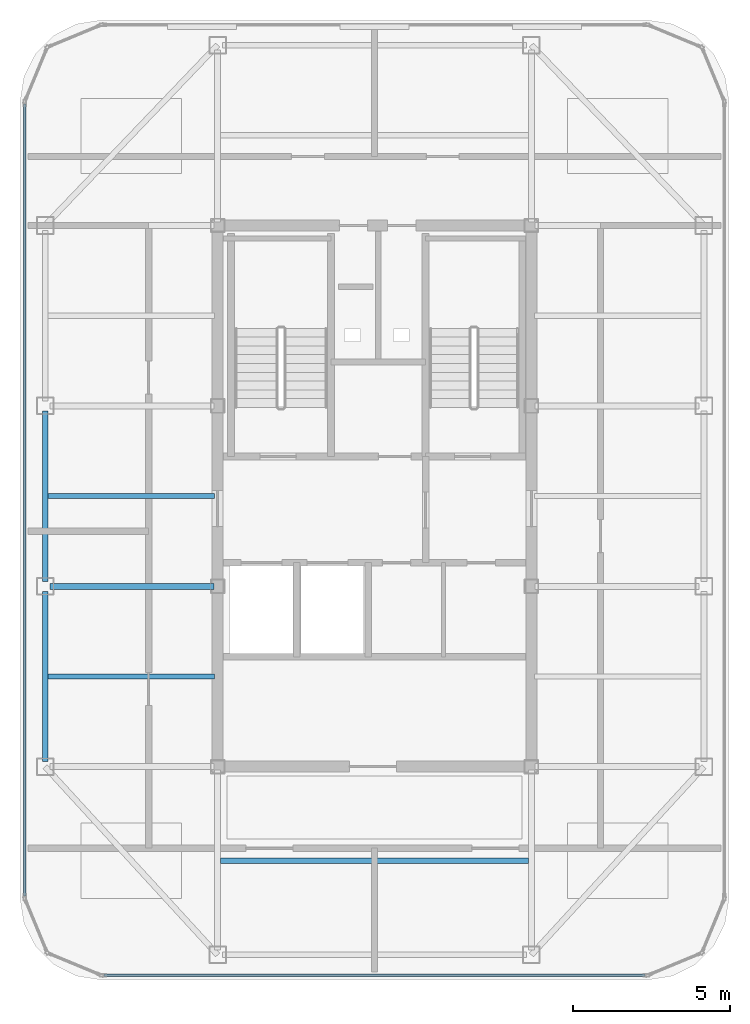
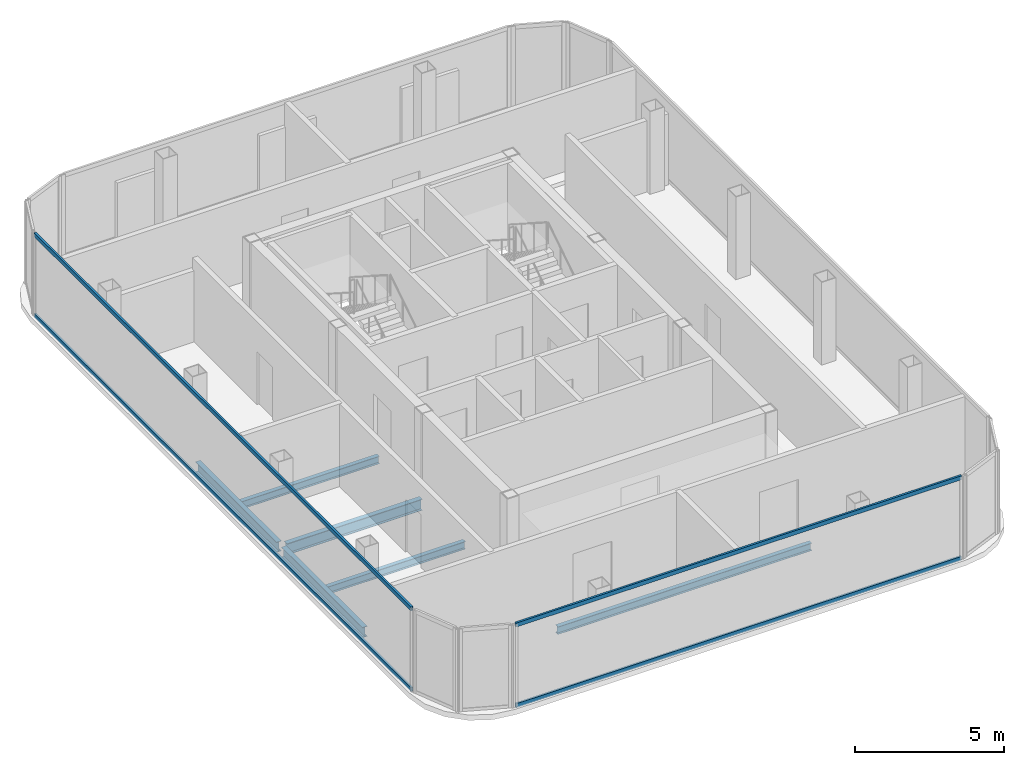
# One storey, part 3 of 11: 6 beams, 4 members, 2 elements without a shape of their own.
"""IFC4 building model written with IfcOpenShell, lengths in metres."""

from ifc_helpers import new_model, si_unit, direction, frame, origin, origin_2d, place, context, subcontext, project, spatial, hollow_rectangle, i_section, extrude, source, transform, mapped, material, layer, layer_set, material_profile, profile_set, type_object, element, aggregate, save


model = new_model("IFC4")

# Units and contexts
model_context = context("Model", 3, precision=1e-05, world=origin(), true_north=direction((0.0, 1.0)))
body_context = subcontext(model_context, "Body", "Model", "MODEL_VIEW")
ifc_project = project(units=[si_unit("LENGTHUNIT", "METRE"), si_unit("AREAUNIT", "SQUARE_METRE"), si_unit("VOLUMEUNIT", "CUBIC_METRE"), si_unit("PLANEANGLEUNIT", "RADIAN"), si_unit("MASSUNIT", "GRAM", prefix="KILO")], contexts=[model_context])

# Site, building, storey
site_placement = place(None, origin())
site = spatial("IfcSite", under=ifc_project, at=site_placement, CompositionType="ELEMENT")
building_placement = place(site_placement, origin())
building = spatial("IfcBuilding", under=site, at=building_placement, Name="Kolveth Station Tower", CompositionType="ELEMENT")
storey_placement = place(building_placement, frame((0.0, 0.0, 289.300048828125)))
storey = spatial("IfcBuildingStorey", under=building, at=storey_placement, Name="L83", CompositionType="ELEMENT", Elevation=289.300048828125)

# Beams
ifc_material_1 = material(Name="Steel S355", Category="steel")
ifc_material_profile_1 = material_profile(ifc_material_1, i_section(OverallWidth=0.180908203125, OverallDepth=0.4169921875, WebThickness=0.010986328125, FlangeThickness=0.018310546875, at=origin_2d()), Name="W410x85")
ifc_profile_set_1 = profile_set([ifc_material_profile_1], Name="Steel S355")
beam_type_1 = type_object("IfcBeamType", Name="Beam_B8", PredefinedType="BEAM", material=ifc_profile_set_1)
shared_shape_1 = source(origin(), body_context, "Body", "SweptSolid", [
    extrude(i_section(OverallWidth=0.180908203125, OverallDepth=0.4169921875, WebThickness=0.010986328125, FlangeThickness=0.018310546875, at=origin_2d()), origin(), (0.0, 0.0, 1.0), 5.43017578125),
])
for number, where, z_axis, x_axis, name in (
    (1, (13.0, 11.659912109375, -0.428466796875), (0.0, 1.0, 0.0), (-1.0, 0.0, 0.0), "L83 Perimeter Spandrel BM-L83-PW-1"),
    (2, (13.0, 17.409912109375, -0.428466796875), (0.0, 1.0, 0.0), (-1.0, 0.0, 0.0), "L83 Perimeter Spandrel BM-L83-PW-2"),
):
    element("IfcBeam", number, at=place(storey_placement, frame(where, z_axis=z_axis, x_axis=x_axis)), inside=storey, type_object=beam_type_1, Name=name, PredefinedType="BEAM", context=body_context, shape_type="MappedRepresentation", body=[
        mapped(shared_shape_1, transform((0.0, 0.0, 0.0), x_axis=(1.0, 0.0, 0.0), y_axis=(0.0, 1.0, 0.0), z_axis=(0.0, 0.0, 1.0), scale=1.0)),
    ])
ifc_material_profile_2 = material_profile(ifc_material_1, i_section(OverallWidth=0.19091796875, OverallDepth=0.4599609375, WebThickness=0.010009765625, FlangeThickness=0.01611328125, at=origin_2d()), Name="W460x82")
ifc_profile_set_2 = profile_set([ifc_material_profile_2], Name="Steel S355")
beam_type_2 = type_object("IfcBeamType", Name="Beam_B7", PredefinedType="BEAM", material=ifc_profile_set_2)
shared_shape_2 = source(origin(), body_context, "Body", "SweptSolid", [
    extrude(i_section(OverallWidth=0.19091796875, OverallDepth=0.4599609375, WebThickness=0.010009765625, FlangeThickness=0.01611328125, at=origin_2d()), origin(), (0.0, 0.0, 1.0), 5.22998046875),
])
beam_1_placement = place(storey_placement, frame((13.159912109375, 17.25, -0.449951171875), z_axis=(1.0, 0.0, 0.0), x_axis=(0.0, 1.0, 0.0)))
element("IfcBeam", 3, at=beam_1_placement, inside=storey, type_object=beam_type_2, Name="L83 Primary Girder BM-L83-GY172-1", PredefinedType="BEAM", context=body_context, shape_type="MappedRepresentation", body=[
    mapped(shared_shape_2, transform((0.0, 0.0, 0.0), x_axis=(1.0, 0.0, 0.0), y_axis=(0.0, 1.0, 0.0), z_axis=(0.0, 0.0, 1.0), scale=1.0)),
])
ifc_material_profile_3 = material_profile(ifc_material_1, i_section(OverallWidth=0.1650390625, OverallDepth=0.31005859375, WebThickness=0.005859375, FlangeThickness=0.009765625, at=origin_2d()), Name="W310x39")
ifc_profile_set_3 = profile_set([ifc_material_profile_3], Name="Steel S355")
beam_type_3 = type_object("IfcBeamType", Name="Beam_J3", PredefinedType="JOIST", material=ifc_profile_set_3)
shared_shape_3 = source(origin(), body_context, "Body", "SweptSolid", [
    extrude(i_section(OverallWidth=0.1650390625, OverallDepth=0.31005859375, WebThickness=0.005859375, FlangeThickness=0.009765625, at=origin_2d()), origin(), (0.0, 0.0, 1.0), 9.81298828125),
])
beam_2_placement = place(storey_placement, frame((18.593505859375, 8.5, -0.375), z_axis=(1.0, 0.0, 0.0), x_axis=(0.0, 1.0, 0.0)))
element("IfcBeam", 4, at=beam_2_placement, inside=storey, type_object=beam_type_3, Name="L83 Secondary Joist JST-L83-2-1", PredefinedType="JOIST", context=body_context, shape_type="MappedRepresentation", body=[
    mapped(shared_shape_3, transform((0.0, 0.0, 0.0), x_axis=(1.0, 0.0, 0.0), y_axis=(0.0, 1.0, 0.0), z_axis=(0.0, 0.0, 1.0), scale=1.0)),
])
shared_shape_4 = source(origin(), body_context, "Body", "SweptSolid", [
    extrude(i_section(OverallWidth=0.1650390625, OverallDepth=0.31005859375, WebThickness=0.005859375, FlangeThickness=0.009765625, at=origin_2d()), origin(), (0.0, 0.0, 1.0), 5.318115234375),
])
for number, where, z_axis, x_axis, name in (
    (5, (13.08837890625, 14.375, -0.375), (1.0, 0.0, 0.0), (0.0, 1.0, 0.0), "L83 Secondary Joist JST-L83-1-2"),
    (6, (13.08837890625, 20.125, -0.375), (1.0, 0.0, 0.0), (0.0, 1.0, 0.0), "L83 Secondary Joist JST-L83-1-3"),
):
    element("IfcBeam", number, at=place(storey_placement, frame(where, z_axis=z_axis, x_axis=x_axis)), inside=storey, type_object=beam_type_3, Name=name, PredefinedType="JOIST", context=body_context, shape_type="MappedRepresentation", body=[
        mapped(shared_shape_4, transform((0.0, 0.0, 0.0), x_axis=(1.0, 0.0, 0.0), y_axis=(0.0, 1.0, 0.0), z_axis=(0.0, 0.0, 1.0), scale=1.0)),
    ])

# Curtain wall, members
ifc_material_2 = material(Name="Black anodized aluminium 6063-T6 and dark crown glass", Category="aluminium")
ifc_layer = layer(ifc_material_2, 0.169921875)
ifc_layer_set = layer_set([ifc_layer], Name="Black anodized aluminium 6063-T6 and dark crown glass")
curtain_wall_type = type_object("IfcCurtainWallType", Name="CurtainWall_CW-CR", PredefinedType="NOTDEFINED", material=ifc_layer_set)
curtain_wall_1_placement = place(storey_placement, origin())
curtain_wall_1 = element("IfcCurtainWall", 7, at=curtain_wall_1_placement, inside=storey, type_object=curtain_wall_type, Name="L83 Stepped Crown Curtain Wall 9", PredefinedType="NOTDEFINED")
ifc_material_3 = material(Name="Black anodized aluminium 6063-T6", Category="aluminium")
ifc_material_profile_4 = material_profile(ifc_material_3, hollow_rectangle(XDim=0.080078125, YDim=0.1650390625, WallThickness=0.0048828125, at=origin_2d()), Name="ALU-80x165x5")
ifc_profile_set_4 = profile_set([ifc_material_profile_4], Name="Black anodized aluminium 6063-T6")
member_type = type_object("IfcMemberType", Name="Transom_TR-CR", PredefinedType="USERDEFINED", material=ifc_profile_set_4)
shared_shape_5 = source(origin(), body_context, "Body", "SweptSolid", [
    extrude(hollow_rectangle(XDim=0.080078125, YDim=0.1650390625, WallThickness=0.0048828125, at=origin_2d()), origin(), (0.0, 0.0, 1.0), 25.22998046875),
])
member_1_placement = place(storey_placement, frame((12.35009765625, 32.614990234375, 0.0400390625), z_axis=(0.0, -1.0, 0.0), x_axis=(1.0, 0.0, 0.0)))
member_1 = element("IfcMember", 8, at=member_1_placement, type_object=member_type, Name="CW-CR transom 1.1", ObjectType="TRANSOM", PredefinedType="USERDEFINED", context=body_context, shape_type="MappedRepresentation", body=[
    mapped(shared_shape_5, transform((0.0, 0.0, 0.0), x_axis=(1.0, 0.0, 0.0), y_axis=(0.0, 1.0, 0.0), z_axis=(0.0, 0.0, 1.0), scale=1.0)),
])
member_2_placement = place(storey_placement, frame((12.35009765625, 32.614990234375, 3.33984375), z_axis=(0.0, -1.0, 0.0), x_axis=(1.0, 0.0, 0.0)))
member_2 = element("IfcMember", 9, at=member_2_placement, type_object=member_type, Name="CW-CR transom 1.2", ObjectType="TRANSOM", PredefinedType="USERDEFINED", context=body_context, shape_type="MappedRepresentation", body=[
    mapped(shared_shape_5, transform((0.0, 0.0, 0.0), x_axis=(1.0, 0.0, 0.0), y_axis=(0.0, 1.0, 0.0), z_axis=(0.0, 0.0, 1.0), scale=1.0)),
])
aggregate(curtain_wall_1, [member_1, member_2])

curtain_wall_2_placement = place(storey_placement, origin())
curtain_wall_2 = element("IfcCurtainWall", 10, at=curtain_wall_2_placement, inside=storey, type_object=curtain_wall_type, Name="L83 Stepped Crown Curtain Wall 12", PredefinedType="NOTDEFINED")
shared_shape_6 = source(origin(), body_context, "Body", "SweptSolid", [
    extrude(hollow_rectangle(XDim=0.080078125, YDim=0.1650390625, WallThickness=0.0048828125, at=origin_2d()), origin(), (0.0, 0.0, 1.0), 17.22998046875),
])
member_3_placement = place(storey_placement, frame((14.885009765625, 4.85009765625, 0.0400390625), z_axis=(1.0, 0.0, 0.0), x_axis=(0.0, 1.0, 0.0)))
member_3 = element("IfcMember", 11, at=member_3_placement, type_object=member_type, Name="CW-CR transom 1.1", ObjectType="TRANSOM", PredefinedType="USERDEFINED", context=body_context, shape_type="MappedRepresentation", body=[
    mapped(shared_shape_6, transform((0.0, 0.0, 0.0), x_axis=(1.0, 0.0, 0.0), y_axis=(0.0, 1.0, 0.0), z_axis=(0.0, 0.0, 1.0), scale=1.0)),
])
member_4_placement = place(storey_placement, frame((14.885009765625, 4.85009765625, 3.33984375), z_axis=(1.0, 0.0, 0.0), x_axis=(0.0, 1.0, 0.0)))
member_4 = element("IfcMember", 12, at=member_4_placement, type_object=member_type, Name="CW-CR transom 1.2", ObjectType="TRANSOM", PredefinedType="USERDEFINED", context=body_context, shape_type="MappedRepresentation", body=[
    mapped(shared_shape_6, transform((0.0, 0.0, 0.0), x_axis=(1.0, 0.0, 0.0), y_axis=(0.0, 1.0, 0.0), z_axis=(0.0, 0.0, 1.0), scale=1.0)),
])
aggregate(curtain_wall_2, [member_3, member_4])

save(model, "model.ifc")
